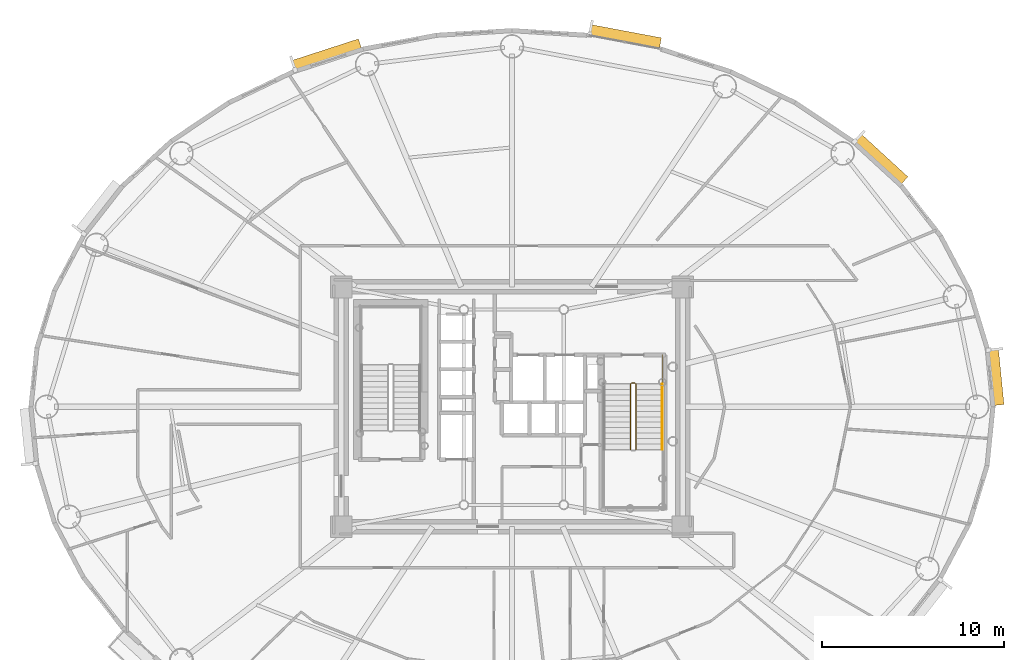
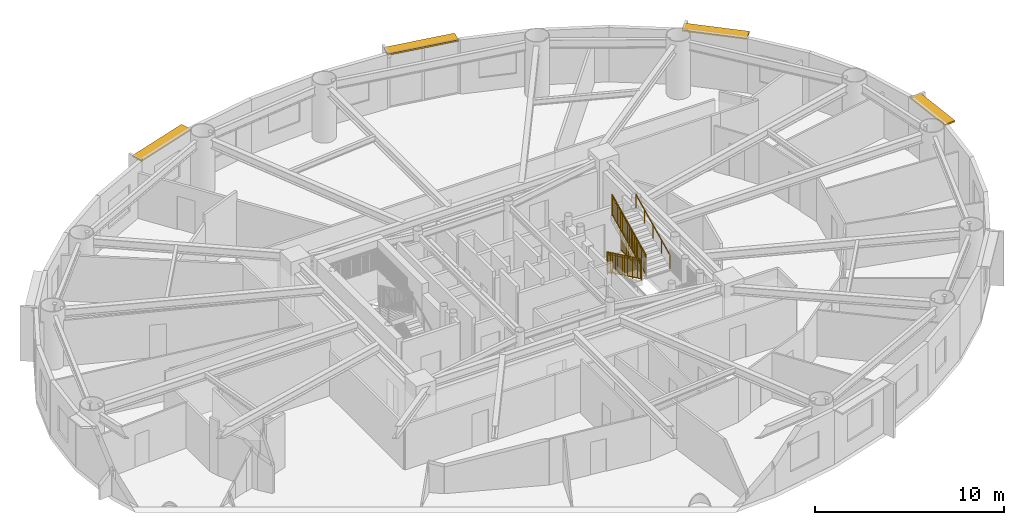
# One storey, part 18 of 18: 5 railings, 4 shading devices.
"""IFC4 building model written with IfcOpenShell, lengths in metres."""

from ifc_helpers import new_model, si_unit, direction, frame, origin, origin_2d, place, context, subcontext, project, spatial, rectangle, extrude, source, transform, mapped, material, layer, layer_set, type_object, element, save


model = new_model("IFC4")

# Units and contexts
model_context = context("Model", 3, precision=1e-05, world=origin(), true_north=direction((0.0, 1.0)))
body_context = subcontext(model_context, "Body", "Model", "MODEL_VIEW")
ifc_project = project(units=[si_unit("LENGTHUNIT", "METRE"), si_unit("AREAUNIT", "SQUARE_METRE"), si_unit("VOLUMEUNIT", "CUBIC_METRE"), si_unit("PLANEANGLEUNIT", "RADIAN"), si_unit("MASSUNIT", "GRAM", prefix="KILO")], contexts=[model_context])

# Site, building, storey
site_placement = place(None, origin())
site = spatial("IfcSite", under=ifc_project, at=site_placement, CompositionType="ELEMENT")
building_placement = place(site_placement, origin())
building = spatial("IfcBuilding", under=site, at=building_placement, Name="Linh Dai School and Residence Tower", CompositionType="ELEMENT")
storey_placement = place(building_placement, frame((0.0, 0.0, 167.39990234375)))
storey = spatial("IfcBuildingStorey", under=building, at=storey_placement, Name="L40", CompositionType="ELEMENT", Elevation=167.39990234375)

# Shading devices
ifc_material_1 = material(Name="Terracotta Ceramic Sunshade", Category="masonry")
ifc_layer = layer(ifc_material_1, 0.10009765625)
ifc_layer_set = layer_set([ifc_layer], Name="Terracotta Ceramic Sunshade")
shading_device_type = type_object("IfcShadingDeviceType", Name="SHD-TC-650", PredefinedType="USERDEFINED", material=ifc_layer_set)
shared_shape_1 = source(origin(), body_context, "Body", "SweptSolid", [
    extrude(rectangle(XDim=3.1201171875, YDim=0.64990234375, at=origin_2d()), origin(), (0.0, 0.0, 1.0), 0.10009765625),
])
shading_device_1_placement = place(storey_placement, frame((62.59619140625, 28.645263671875, 3.380126953125), z_axis=(0.0, 0.0, 1.0), x_axis=(0.100001796141, -0.994987256586, 0.0)))
element("IfcShadingDevice", 1, at=shading_device_1_placement, inside=storey, type_object=shading_device_type, Name="L40 Terracotta Horizontal Sunshade Band 01", ObjectType="SUNSHADE", PredefinedType="USERDEFINED", context=body_context, shape_type="MappedRepresentation", body=[
    mapped(shared_shape_1, transform((0.0, 0.0, 0.0), x_axis=(1.0, 0.0, 0.0), y_axis=(0.0, 1.0, 0.0), z_axis=(0.0, 0.0, 1.0), scale=1.0)),
])
shared_shape_2 = source(origin(), body_context, "Body", "SweptSolid", [
    extrude(rectangle(XDim=3.51171875, YDim=0.64990234375, at=origin_2d()), origin(), (0.0, 0.0, 1.0), 0.10009765625),
])
shading_device_2_placement = place(storey_placement, frame((56.272705078125, 40.604736328125, 3.380126953125), z_axis=(0.0, 0.0, 1.0), x_axis=(0.737085029426, -0.67580001435, 0.0)))
element("IfcShadingDevice", 2, at=shading_device_2_placement, inside=storey, type_object=shading_device_type, Name="L40 Terracotta Horizontal Sunshade Band 05", ObjectType="SUNSHADE", PredefinedType="USERDEFINED", context=body_context, shape_type="MappedRepresentation", body=[
    mapped(shared_shape_2, transform((0.0, 0.0, 0.0), x_axis=(1.0, 0.0, 0.0), y_axis=(0.0, 1.0, 0.0), z_axis=(0.0, 0.0, 1.0), scale=1.0)),
])
shared_shape_3 = source(origin(), body_context, "Body", "SweptSolid", [
    extrude(rectangle(XDim=3.949462890625, YDim=0.64990234375, at=origin_2d()), origin(), (0.0, 0.0, 1.0), 0.10009765625),
])
shading_device_3_placement = place(storey_placement, frame((42.219970703125, 47.349609375, 3.380126953125), z_axis=(0.0, 0.0, 1.0), x_axis=(0.982783192645, -0.184762540184, 0.0)))
element("IfcShadingDevice", 3, at=shading_device_3_placement, inside=storey, type_object=shading_device_type, Name="L40 Terracotta Horizontal Sunshade Band 09", ObjectType="SUNSHADE", PredefinedType="USERDEFINED", context=body_context, shape_type="MappedRepresentation", body=[
    mapped(shared_shape_3, transform((0.0, 0.0, 0.0), x_axis=(1.0, 0.0, 0.0), y_axis=(0.0, 1.0, 0.0), z_axis=(0.0, 0.0, 1.0), scale=1.0)),
])
shared_shape_4 = source(origin(), body_context, "Body", "SweptSolid", [
    extrude(rectangle(XDim=3.876220703125, YDim=0.64990234375, at=origin_2d()), origin(), (0.0, 0.0, 1.0), 0.10009765625),
])
shading_device_4_placement = place(storey_placement, frame((25.802734375, 46.337646484375, 3.380126953125), z_axis=(0.0, 0.0, 1.0), x_axis=(0.951212761419, 0.308535707031, 0.0)))
element("IfcShadingDevice", 4, at=shading_device_4_placement, inside=storey, type_object=shading_device_type, Name="L40 Terracotta Horizontal Sunshade Band 13", ObjectType="SUNSHADE", PredefinedType="USERDEFINED", context=body_context, shape_type="MappedRepresentation", body=[
    mapped(shared_shape_4, transform((0.0, 0.0, 0.0), x_axis=(1.0, 0.0, 0.0), y_axis=(0.0, 1.0, 0.0), z_axis=(0.0, 0.0, 1.0), scale=1.0)),
])

# Railings
ifc_material_2 = material(Name="Structural Steel S355JR", Category="steel")
railing_type_1 = type_object("IfcRailingType", Name="RL-ST-GUARD-1400", PredefinedType="GUARDRAIL", material=ifc_material_2)
shared_shape_5 = source(origin(), body_context, "Body", "SweptSolid", [
    extrude(rectangle(XDim=0.048095703125, YDim=0.048095703125, at=origin_2d()), frame((0.0, 0.0, 1.3759765625), z_axis=(0.0, 0.901262522062, 0.433273431364), x_axis=(-1.0, 0.0, 0.0)), (0.0, 0.0, 1.0), 3.994384765625),
    extrude(rectangle(XDim=0.048095703125, YDim=0.048095703125, at=origin_2d()), frame((0.0, 0.0, 0.10009765625), z_axis=(0.0, 0.901262522062, 0.433273431364), x_axis=(-1.0, 0.0, 0.0)), (0.0, 0.0, 1.0), 3.994384765625),
    extrude(rectangle(XDim=0.030029296875, YDim=0.030029296875, at=origin_2d()), frame((0.0, 0.0, 1.239990234375), z_axis=(0.0, 0.901262522062, 0.433273431364), x_axis=(-1.0, 0.0, 0.0)), (0.0, 0.0, 1.0), 3.994384765625),
    extrude(rectangle(XDim=0.02001953125, YDim=0.02001953125, at=origin_2d()), frame((0.0, 0.087890625, 0.142333984375)), (0.0, 0.0, 1.0), 1.251708984375),
    extrude(rectangle(XDim=0.02001953125, YDim=0.02001953125, at=origin_2d()), frame((0.0, 0.175537109375, 0.1845703125)), (0.0, 0.0, 1.0), 1.251708984375),
    extrude(rectangle(XDim=0.02001953125, YDim=0.02001953125, at=origin_2d()), frame((0.0, 0.263427734375, 0.226806640625)), (0.0, 0.0, 1.0), 1.251708984375),
    extrude(rectangle(XDim=0.02001953125, YDim=0.02001953125, at=origin_2d()), frame((0.0, 0.351318359375, 0.26904296875)), (0.0, 0.0, 1.0), 1.251708984375),
    extrude(rectangle(XDim=0.02001953125, YDim=0.02001953125, at=origin_2d()), frame((0.0, 0.43896484375, 0.311279296875)), (0.0, 0.0, 1.0), 1.251708984375),
    extrude(rectangle(XDim=0.02001953125, YDim=0.02001953125, at=origin_2d()), frame((0.0, 0.52685546875, 0.353271484375)), (0.0, 0.0, 1.0), 1.251708984375),
    extrude(rectangle(XDim=0.02001953125, YDim=0.02001953125, at=origin_2d()), frame((0.0, 0.61474609375, 0.3955078125)), (0.0, 0.0, 1.0), 1.251708984375),
    extrude(rectangle(XDim=0.02001953125, YDim=0.02001953125, at=origin_2d()), frame((0.0, 0.702392578125, 0.437744140625)), (0.0, 0.0, 1.0), 1.251708984375),
    extrude(rectangle(XDim=0.02001953125, YDim=0.02001953125, at=origin_2d()), frame((0.0, 0.790283203125, 0.47998046875)), (0.0, 0.0, 1.0), 1.251708984375),
    extrude(rectangle(XDim=0.02001953125, YDim=0.02001953125, at=origin_2d()), frame((0.0, 0.9658203125, 0.564453125)), (0.0, 0.0, 1.0), 1.251708984375),
    extrude(rectangle(XDim=0.02001953125, YDim=0.02001953125, at=origin_2d()), frame((0.0, 1.0537109375, 0.606689453125)), (0.0, 0.0, 1.0), 1.251708984375),
    extrude(rectangle(XDim=0.02001953125, YDim=0.02001953125, at=origin_2d()), frame((0.0, 1.1416015625, 0.64892578125)), (0.0, 0.0, 1.0), 1.251708984375),
    extrude(rectangle(XDim=0.02001953125, YDim=0.02001953125, at=origin_2d()), frame((0.0, 1.229248046875, 0.691162109375)), (0.0, 0.0, 1.0), 1.251708984375),
    extrude(rectangle(XDim=0.02001953125, YDim=0.02001953125, at=origin_2d()), frame((0.0, 1.317138671875, 0.7333984375)), (0.0, 0.0, 1.0), 1.251708984375),
    extrude(rectangle(XDim=0.02001953125, YDim=0.02001953125, at=origin_2d()), frame((0.0, 1.405029296875, 0.775390625)), (0.0, 0.0, 1.0), 1.251708984375),
    extrude(rectangle(XDim=0.02001953125, YDim=0.02001953125, at=origin_2d()), frame((0.0, 1.49267578125, 0.817626953125)), (0.0, 0.0, 1.0), 1.251708984375),
    extrude(rectangle(XDim=0.02001953125, YDim=0.02001953125, at=origin_2d()), frame((0.0, 1.58056640625, 0.85986328125)), (0.0, 0.0, 1.0), 1.251708984375),
    extrude(rectangle(XDim=0.02001953125, YDim=0.02001953125, at=origin_2d()), frame((0.0, 1.66845703125, 0.902099609375)), (0.0, 0.0, 1.0), 1.251708984375),
    extrude(rectangle(XDim=0.02001953125, YDim=0.02001953125, at=origin_2d()), frame((0.0, 1.756103515625, 0.9443359375)), (0.0, 0.0, 1.0), 1.251708984375),
    extrude(rectangle(XDim=0.02001953125, YDim=0.02001953125, at=origin_2d()), frame((0.0, 1.843994140625, 0.986572265625)), (0.0, 0.0, 1.0), 1.251708984375),
    extrude(rectangle(XDim=0.02001953125, YDim=0.02001953125, at=origin_2d()), frame((0.0, 1.931640625, 1.02880859375)), (0.0, 0.0, 1.0), 1.251708984375),
    extrude(rectangle(XDim=0.02001953125, YDim=0.02001953125, at=origin_2d()), frame((0.0, 2.01953125, 1.071044921875)), (0.0, 0.0, 1.0), 1.251708984375),
    extrude(rectangle(XDim=0.02001953125, YDim=0.02001953125, at=origin_2d()), frame((0.0, 2.107421875, 1.11328125)), (0.0, 0.0, 1.0), 1.251708984375),
    extrude(rectangle(XDim=0.02001953125, YDim=0.02001953125, at=origin_2d()), frame((0.0, 2.195068359375, 1.155517578125)), (0.0, 0.0, 1.0), 1.251708984375),
    extrude(rectangle(XDim=0.02001953125, YDim=0.02001953125, at=origin_2d()), frame((0.0, 2.282958984375, 1.197509765625)), (0.0, 0.0, 1.0), 1.251708984375),
    extrude(rectangle(XDim=0.02001953125, YDim=0.02001953125, at=origin_2d()), frame((0.0, 2.370849609375, 1.23974609375)), (0.0, 0.0, 1.0), 1.251708984375),
    extrude(rectangle(XDim=0.02001953125, YDim=0.02001953125, at=origin_2d()), frame((0.0, 2.45849609375, 1.281982421875)), (0.0, 0.0, 1.0), 1.251708984375),
    extrude(rectangle(XDim=0.02001953125, YDim=0.02001953125, at=origin_2d()), frame((0.0, 2.54638671875, 1.32421875)), (0.0, 0.0, 1.0), 1.251708984375),
    extrude(rectangle(XDim=0.02001953125, YDim=0.02001953125, at=origin_2d()), frame((0.0, 2.63427734375, 1.366455078125)), (0.0, 0.0, 1.0), 1.251708984375),
    extrude(rectangle(XDim=0.02001953125, YDim=0.02001953125, at=origin_2d()), frame((0.0, 2.809814453125, 1.450927734375)), (0.0, 0.0, 1.0), 1.251708984375),
    extrude(rectangle(XDim=0.02001953125, YDim=0.02001953125, at=origin_2d()), frame((0.0, 2.897705078125, 1.4931640625)), (0.0, 0.0, 1.0), 1.251708984375),
    extrude(rectangle(XDim=0.02001953125, YDim=0.02001953125, at=origin_2d()), frame((0.0, 2.9853515625, 1.535400390625)), (0.0, 0.0, 1.0), 1.251708984375),
    extrude(rectangle(XDim=0.02001953125, YDim=0.02001953125, at=origin_2d()), frame((0.0, 3.0732421875, 1.57763671875)), (0.0, 0.0, 1.0), 1.251708984375),
    extrude(rectangle(XDim=0.02001953125, YDim=0.02001953125, at=origin_2d()), frame((0.0, 3.1611328125, 1.61962890625)), (0.0, 0.0, 1.0), 1.251708984375),
    extrude(rectangle(XDim=0.02001953125, YDim=0.02001953125, at=origin_2d()), frame((0.0, 3.248779296875, 1.661865234375)), (0.0, 0.0, 1.0), 1.251708984375),
    extrude(rectangle(XDim=0.02001953125, YDim=0.02001953125, at=origin_2d()), frame((0.0, 3.336669921875, 1.7041015625)), (0.0, 0.0, 1.0), 1.251708984375),
    extrude(rectangle(XDim=0.02001953125, YDim=0.02001953125, at=origin_2d()), frame((0.0, 3.424560546875, 1.746337890625)), (0.0, 0.0, 1.0), 1.251708984375),
    extrude(rectangle(XDim=0.02001953125, YDim=0.02001953125, at=origin_2d()), frame((0.0, 3.51220703125, 1.78857421875)), (0.0, 0.0, 1.0), 1.251708984375),
    extrude(rectangle(XDim=0.0419921875, YDim=0.0419921875, at=origin_2d()), origin(), (0.0, 0.0, 1.0), 1.3759765625),
    extrude(rectangle(XDim=0.0419921875, YDim=0.0419921875, at=origin_2d()), frame((0.0, 0.89990234375, 0.4326171875)), (0.0, 0.0, 1.0), 1.3759765625),
    extrude(rectangle(XDim=0.0419921875, YDim=0.0419921875, at=origin_2d()), frame((0.0, 1.800048828125, 0.865234375)), (0.0, 0.0, 1.0), 1.3759765625),
    extrude(rectangle(XDim=0.0419921875, YDim=0.0419921875, at=origin_2d()), frame((0.0, 2.7001953125, 1.298095703125)), (0.0, 0.0, 1.0), 1.3759765625),
    extrude(rectangle(XDim=0.0419921875, YDim=0.0419921875, at=origin_2d()), frame((0.0, 3.60009765625, 1.730712890625)), (0.0, 0.0, 1.0), 1.3759765625),
])
railing_1_placement = place(storey_placement, frame((42.820068359375, 24.64990234375, 2.019287109375)))
element("IfcRailing", 5, at=railing_1_placement, inside=storey, type_object=railing_type_1, Name="L40 ST2 stair guard 6", PredefinedType="GUARDRAIL", context=body_context, shape_type="MappedRepresentation", body=[
    mapped(shared_shape_5, transform((0.0, 0.0, 0.0), x_axis=(1.0, 0.0, 0.0), y_axis=(0.0, 1.0, 0.0), z_axis=(0.0, 0.0, 1.0), scale=1.0)),
])
shared_shape_6 = source(origin(), body_context, "Body", "SweptSolid", [
    extrude(rectangle(XDim=0.048095703125, YDim=0.048095703125, at=origin_2d()), frame((0.0, 0.0, 1.3759765625), z_axis=(0.0, -0.901262522062, 0.433273431364), x_axis=(1.0, 0.0, 0.0)), (0.0, 0.0, 1.0), 3.994384765625),
    extrude(rectangle(XDim=0.048095703125, YDim=0.048095703125, at=origin_2d()), frame((0.0, 0.0, 0.10009765625), z_axis=(0.0, -0.901262522062, 0.433273431364), x_axis=(1.0, 0.0, 0.0)), (0.0, 0.0, 1.0), 3.994384765625),
    extrude(rectangle(XDim=0.030029296875, YDim=0.030029296875, at=origin_2d()), frame((0.0, 0.0, 1.239990234375), z_axis=(0.0, -0.901262522062, 0.433273431364), x_axis=(1.0, 0.0, 0.0)), (0.0, 0.0, 1.0), 3.994384765625),
    extrude(rectangle(XDim=0.02001953125, YDim=0.02001953125, at=origin_2d()), frame((0.0, -0.087890625, 0.142333984375)), (0.0, 0.0, 1.0), 1.251708984375),
    extrude(rectangle(XDim=0.02001953125, YDim=0.02001953125, at=origin_2d()), frame((0.0, -0.175537109375, 0.1845703125)), (0.0, 0.0, 1.0), 1.251708984375),
    extrude(rectangle(XDim=0.02001953125, YDim=0.02001953125, at=origin_2d()), frame((0.0, -0.263427734375, 0.226806640625)), (0.0, 0.0, 1.0), 1.251708984375),
    extrude(rectangle(XDim=0.02001953125, YDim=0.02001953125, at=origin_2d()), frame((0.0, -0.351318359375, 0.26904296875)), (0.0, 0.0, 1.0), 1.251708984375),
    extrude(rectangle(XDim=0.02001953125, YDim=0.02001953125, at=origin_2d()), frame((0.0, -0.43896484375, 0.311279296875)), (0.0, 0.0, 1.0), 1.251708984375),
    extrude(rectangle(XDim=0.02001953125, YDim=0.02001953125, at=origin_2d()), frame((0.0, -0.52685546875, 0.353271484375)), (0.0, 0.0, 1.0), 1.251708984375),
    extrude(rectangle(XDim=0.02001953125, YDim=0.02001953125, at=origin_2d()), frame((0.0, -0.61474609375, 0.3955078125)), (0.0, 0.0, 1.0), 1.251708984375),
    extrude(rectangle(XDim=0.02001953125, YDim=0.02001953125, at=origin_2d()), frame((0.0, -0.702392578125, 0.437744140625)), (0.0, 0.0, 1.0), 1.251708984375),
    extrude(rectangle(XDim=0.02001953125, YDim=0.02001953125, at=origin_2d()), frame((0.0, -0.790283203125, 0.47998046875)), (0.0, 0.0, 1.0), 1.251708984375),
    extrude(rectangle(XDim=0.02001953125, YDim=0.02001953125, at=origin_2d()), frame((0.0, -0.9658203125, 0.564453125)), (0.0, 0.0, 1.0), 1.251708984375),
    extrude(rectangle(XDim=0.02001953125, YDim=0.02001953125, at=origin_2d()), frame((0.0, -1.0537109375, 0.606689453125)), (0.0, 0.0, 1.0), 1.251708984375),
    extrude(rectangle(XDim=0.02001953125, YDim=0.02001953125, at=origin_2d()), frame((0.0, -1.1416015625, 0.64892578125)), (0.0, 0.0, 1.0), 1.251708984375),
    extrude(rectangle(XDim=0.02001953125, YDim=0.02001953125, at=origin_2d()), frame((0.0, -1.229248046875, 0.691162109375)), (0.0, 0.0, 1.0), 1.251708984375),
    extrude(rectangle(XDim=0.02001953125, YDim=0.02001953125, at=origin_2d()), frame((0.0, -1.317138671875, 0.7333984375)), (0.0, 0.0, 1.0), 1.251708984375),
    extrude(rectangle(XDim=0.02001953125, YDim=0.02001953125, at=origin_2d()), frame((0.0, -1.405029296875, 0.775390625)), (0.0, 0.0, 1.0), 1.251708984375),
    extrude(rectangle(XDim=0.02001953125, YDim=0.02001953125, at=origin_2d()), frame((0.0, -1.49267578125, 0.817626953125)), (0.0, 0.0, 1.0), 1.251708984375),
    extrude(rectangle(XDim=0.02001953125, YDim=0.02001953125, at=origin_2d()), frame((0.0, -1.58056640625, 0.85986328125)), (0.0, 0.0, 1.0), 1.251708984375),
    extrude(rectangle(XDim=0.02001953125, YDim=0.02001953125, at=origin_2d()), frame((0.0, -1.66845703125, 0.902099609375)), (0.0, 0.0, 1.0), 1.251708984375),
    extrude(rectangle(XDim=0.02001953125, YDim=0.02001953125, at=origin_2d()), frame((0.0, -1.756103515625, 0.9443359375)), (0.0, 0.0, 1.0), 1.251708984375),
    extrude(rectangle(XDim=0.02001953125, YDim=0.02001953125, at=origin_2d()), frame((0.0, -1.843994140625, 0.986572265625)), (0.0, 0.0, 1.0), 1.251708984375),
    extrude(rectangle(XDim=0.02001953125, YDim=0.02001953125, at=origin_2d()), frame((0.0, -1.931640625, 1.02880859375)), (0.0, 0.0, 1.0), 1.251708984375),
    extrude(rectangle(XDim=0.02001953125, YDim=0.02001953125, at=origin_2d()), frame((0.0, -2.01953125, 1.071044921875)), (0.0, 0.0, 1.0), 1.251708984375),
    extrude(rectangle(XDim=0.02001953125, YDim=0.02001953125, at=origin_2d()), frame((0.0, -2.107421875, 1.11328125)), (0.0, 0.0, 1.0), 1.251708984375),
    extrude(rectangle(XDim=0.02001953125, YDim=0.02001953125, at=origin_2d()), frame((0.0, -2.195068359375, 1.155517578125)), (0.0, 0.0, 1.0), 1.251708984375),
    extrude(rectangle(XDim=0.02001953125, YDim=0.02001953125, at=origin_2d()), frame((0.0, -2.282958984375, 1.197509765625)), (0.0, 0.0, 1.0), 1.251708984375),
    extrude(rectangle(XDim=0.02001953125, YDim=0.02001953125, at=origin_2d()), frame((0.0, -2.370849609375, 1.23974609375)), (0.0, 0.0, 1.0), 1.251708984375),
    extrude(rectangle(XDim=0.02001953125, YDim=0.02001953125, at=origin_2d()), frame((0.0, -2.45849609375, 1.281982421875)), (0.0, 0.0, 1.0), 1.251708984375),
    extrude(rectangle(XDim=0.02001953125, YDim=0.02001953125, at=origin_2d()), frame((0.0, -2.54638671875, 1.32421875)), (0.0, 0.0, 1.0), 1.251708984375),
    extrude(rectangle(XDim=0.02001953125, YDim=0.02001953125, at=origin_2d()), frame((0.0, -2.63427734375, 1.366455078125)), (0.0, 0.0, 1.0), 1.251708984375),
    extrude(rectangle(XDim=0.02001953125, YDim=0.02001953125, at=origin_2d()), frame((0.0, -2.809814453125, 1.450927734375)), (0.0, 0.0, 1.0), 1.251708984375),
    extrude(rectangle(XDim=0.02001953125, YDim=0.02001953125, at=origin_2d()), frame((0.0, -2.897705078125, 1.4931640625)), (0.0, 0.0, 1.0), 1.251708984375),
    extrude(rectangle(XDim=0.02001953125, YDim=0.02001953125, at=origin_2d()), frame((0.0, -2.9853515625, 1.535400390625)), (0.0, 0.0, 1.0), 1.251708984375),
    extrude(rectangle(XDim=0.02001953125, YDim=0.02001953125, at=origin_2d()), frame((0.0, -3.0732421875, 1.57763671875)), (0.0, 0.0, 1.0), 1.251708984375),
    extrude(rectangle(XDim=0.02001953125, YDim=0.02001953125, at=origin_2d()), frame((0.0, -3.1611328125, 1.61962890625)), (0.0, 0.0, 1.0), 1.251708984375),
    extrude(rectangle(XDim=0.02001953125, YDim=0.02001953125, at=origin_2d()), frame((0.0, -3.248779296875, 1.661865234375)), (0.0, 0.0, 1.0), 1.251708984375),
    extrude(rectangle(XDim=0.02001953125, YDim=0.02001953125, at=origin_2d()), frame((0.0, -3.336669921875, 1.7041015625)), (0.0, 0.0, 1.0), 1.251708984375),
    extrude(rectangle(XDim=0.02001953125, YDim=0.02001953125, at=origin_2d()), frame((0.0, -3.424560546875, 1.746337890625)), (0.0, 0.0, 1.0), 1.251708984375),
    extrude(rectangle(XDim=0.02001953125, YDim=0.02001953125, at=origin_2d()), frame((0.0, -3.51220703125, 1.78857421875)), (0.0, 0.0, 1.0), 1.251708984375),
    extrude(rectangle(XDim=0.0419921875, YDim=0.0419921875, at=origin_2d()), origin(), (0.0, 0.0, 1.0), 1.3759765625),
    extrude(rectangle(XDim=0.0419921875, YDim=0.0419921875, at=origin_2d()), frame((0.0, -0.89990234375, 0.4326171875)), (0.0, 0.0, 1.0), 1.3759765625),
    extrude(rectangle(XDim=0.0419921875, YDim=0.0419921875, at=origin_2d()), frame((0.0, -1.800048828125, 0.865234375)), (0.0, 0.0, 1.0), 1.3759765625),
    extrude(rectangle(XDim=0.0419921875, YDim=0.0419921875, at=origin_2d()), frame((0.0, -2.7001953125, 1.298095703125)), (0.0, 0.0, 1.0), 1.3759765625),
    extrude(rectangle(XDim=0.0419921875, YDim=0.0419921875, at=origin_2d()), frame((0.0, -3.60009765625, 1.730712890625)), (0.0, 0.0, 1.0), 1.3759765625),
])
railing_2_placement = place(storey_placement, frame((42.52001953125, 28.25, 0.144287109375)))
element("IfcRailing", 6, at=railing_2_placement, inside=storey, type_object=railing_type_1, Name="L40 ST2 stair guard 1", PredefinedType="GUARDRAIL", context=body_context, shape_type="MappedRepresentation", body=[
    mapped(shared_shape_6, transform((0.0, 0.0, 0.0), x_axis=(1.0, 0.0, 0.0), y_axis=(0.0, 1.0, 0.0), z_axis=(0.0, 0.0, 1.0), scale=1.0)),
])
ifc_material_3 = material(Name="Brushed Stainless Steel Handrail", Category="steel")
railing_type_2 = type_object("IfcRailingType", Name="RL-ST-HANDRAIL-900", PredefinedType="HANDRAIL", material=ifc_material_3)
shared_shape_7 = source(origin(), body_context, "Body", "SweptSolid", [
    extrude(rectangle(XDim=0.048095703125, YDim=0.048095703125, at=origin_2d()), frame((0.0, 0.0, 0.8759765625), z_axis=(0.0, 0.901262522062, 0.433273431364), x_axis=(-1.0, 0.0, 0.0)), (0.0, 0.0, 1.0), 3.994384765625),
    extrude(rectangle(XDim=0.0419921875, YDim=0.0419921875, at=origin_2d()), origin(), (0.0, 0.0, 1.0), 0.8759765625),
    extrude(rectangle(XDim=0.0419921875, YDim=0.0419921875, at=origin_2d()), frame((0.0, 0.89990234375, 0.4326171875)), (0.0, 0.0, 1.0), 0.8759765625),
    extrude(rectangle(XDim=0.0419921875, YDim=0.0419921875, at=origin_2d()), frame((0.0, 1.800048828125, 0.865234375)), (0.0, 0.0, 1.0), 0.8759765625),
    extrude(rectangle(XDim=0.0419921875, YDim=0.0419921875, at=origin_2d()), frame((0.0, 2.7001953125, 1.298095703125)), (0.0, 0.0, 1.0), 0.8759765625),
    extrude(rectangle(XDim=0.0419921875, YDim=0.0419921875, at=origin_2d()), frame((0.0, 3.60009765625, 1.730712890625)), (0.0, 0.0, 1.0), 0.8759765625),
])
railing_3_placement = place(storey_placement, frame((44.27001953125, 24.64990234375, 2.019287109375)))
element("IfcRailing", 7, at=railing_3_placement, inside=storey, type_object=railing_type_2, Name="L40 ST2 stair handrail 2", PredefinedType="HANDRAIL", context=body_context, shape_type="MappedRepresentation", body=[
    mapped(shared_shape_7, transform((0.0, 0.0, 0.0), x_axis=(1.0, 0.0, 0.0), y_axis=(0.0, 1.0, 0.0), z_axis=(0.0, 0.0, 1.0), scale=1.0)),
])
shared_shape_8 = source(origin(), body_context, "Body", "SweptSolid", [
    extrude(rectangle(XDim=0.048095703125, YDim=0.048095703125, at=origin_2d()), frame((0.0, 0.0, 1.3759765625), z_axis=(1.0, 0.0, 0.0), x_axis=(0.0, 1.0, 0.0)), (0.0, 0.0, 1.0), 0.199951171875),
    extrude(rectangle(XDim=0.048095703125, YDim=0.048095703125, at=origin_2d()), frame((0.0, 0.0, 0.10009765625), z_axis=(1.0, 0.0, 0.0), x_axis=(0.0, 1.0, 0.0)), (0.0, 0.0, 1.0), 0.199951171875),
    extrude(rectangle(XDim=0.030029296875, YDim=0.030029296875, at=origin_2d()), frame((0.0, 0.0, 1.239990234375), z_axis=(1.0, 0.0, 0.0), x_axis=(0.0, 1.0, 0.0)), (0.0, 0.0, 1.0), 0.199951171875),
    extrude(rectangle(XDim=0.0419921875, YDim=0.0419921875, at=origin_2d()), origin(), (0.0, 0.0, 1.0), 1.3759765625),
    extrude(rectangle(XDim=0.0419921875, YDim=0.0419921875, at=origin_2d()), frame((0.199951171875, 0.0, 0.0)), (0.0, 0.0, 1.0), 1.3759765625),
])
railing_4_placement = place(storey_placement, frame((42.570068359375, 28.300048828125, 0.0)))
element("IfcRailing", 8, at=railing_4_placement, inside=storey, type_object=railing_type_1, Name="L40 ST2 stair guard 7", PredefinedType="GUARDRAIL", context=body_context, shape_type="MappedRepresentation", body=[
    mapped(shared_shape_8, transform((0.0, 0.0, 0.0), x_axis=(1.0, 0.0, 0.0), y_axis=(0.0, 1.0, 0.0), z_axis=(0.0, 0.0, 1.0), scale=1.0)),
])
shared_shape_9 = source(origin(), body_context, "Body", "SweptSolid", [
    extrude(rectangle(XDim=0.048095703125, YDim=0.048095703125, at=origin_2d()), frame((0.0, 0.0, 1.3759765625), z_axis=(0.0, -1.0, 0.0), x_axis=(1.0, 0.0, 0.0)), (0.0, 0.0, 1.0), 1.60009765625),
    extrude(rectangle(XDim=0.048095703125, YDim=0.048095703125, at=origin_2d()), frame((0.0, 0.0, 0.10009765625), z_axis=(0.0, -1.0, 0.0), x_axis=(1.0, 0.0, 0.0)), (0.0, 0.0, 1.0), 1.60009765625),
    extrude(rectangle(XDim=0.030029296875, YDim=0.030029296875, at=origin_2d()), frame((0.0, 0.0, 1.239990234375), z_axis=(0.0, -1.0, 0.0), x_axis=(1.0, 0.0, 0.0)), (0.0, 0.0, 1.0), 1.60009765625),
    extrude(rectangle(XDim=0.02001953125, YDim=0.02001953125, at=origin_2d()), frame((0.0, -0.09423828125, 0.10009765625)), (0.0, 0.0, 1.0), 1.251708984375),
    extrude(rectangle(XDim=0.02001953125, YDim=0.02001953125, at=origin_2d()), frame((0.0, -0.188232421875, 0.10009765625)), (0.0, 0.0, 1.0), 1.251708984375),
    extrude(rectangle(XDim=0.02001953125, YDim=0.02001953125, at=origin_2d()), frame((0.0, -0.282470703125, 0.10009765625)), (0.0, 0.0, 1.0), 1.251708984375),
    extrude(rectangle(XDim=0.02001953125, YDim=0.02001953125, at=origin_2d()), frame((0.0, -0.37646484375, 0.10009765625)), (0.0, 0.0, 1.0), 1.251708984375),
    extrude(rectangle(XDim=0.02001953125, YDim=0.02001953125, at=origin_2d()), frame((0.0, -0.470703125, 0.10009765625)), (0.0, 0.0, 1.0), 1.251708984375),
    extrude(rectangle(XDim=0.02001953125, YDim=0.02001953125, at=origin_2d()), frame((0.0, -0.564697265625, 0.10009765625)), (0.0, 0.0, 1.0), 1.251708984375),
    extrude(rectangle(XDim=0.02001953125, YDim=0.02001953125, at=origin_2d()), frame((0.0, -0.658935546875, 0.10009765625)), (0.0, 0.0, 1.0), 1.251708984375),
    extrude(rectangle(XDim=0.02001953125, YDim=0.02001953125, at=origin_2d()), frame((0.0, -0.7529296875, 0.10009765625)), (0.0, 0.0, 1.0), 1.251708984375),
    extrude(rectangle(XDim=0.02001953125, YDim=0.02001953125, at=origin_2d()), frame((0.0, -0.84716796875, 0.10009765625)), (0.0, 0.0, 1.0), 1.251708984375),
    extrude(rectangle(XDim=0.02001953125, YDim=0.02001953125, at=origin_2d()), frame((0.0, -0.941162109375, 0.10009765625)), (0.0, 0.0, 1.0), 1.251708984375),
    extrude(rectangle(XDim=0.02001953125, YDim=0.02001953125, at=origin_2d()), frame((0.0, -1.035400390625, 0.10009765625)), (0.0, 0.0, 1.0), 1.251708984375),
    extrude(rectangle(XDim=0.02001953125, YDim=0.02001953125, at=origin_2d()), frame((0.0, -1.12939453125, 0.10009765625)), (0.0, 0.0, 1.0), 1.251708984375),
    extrude(rectangle(XDim=0.02001953125, YDim=0.02001953125, at=origin_2d()), frame((0.0, -1.2236328125, 0.10009765625)), (0.0, 0.0, 1.0), 1.251708984375),
    extrude(rectangle(XDim=0.02001953125, YDim=0.02001953125, at=origin_2d()), frame((0.0, -1.317626953125, 0.10009765625)), (0.0, 0.0, 1.0), 1.251708984375),
    extrude(rectangle(XDim=0.02001953125, YDim=0.02001953125, at=origin_2d()), frame((0.0, -1.411865234375, 0.10009765625)), (0.0, 0.0, 1.0), 1.251708984375),
    extrude(rectangle(XDim=0.02001953125, YDim=0.02001953125, at=origin_2d()), frame((0.0, -1.505859375, 0.10009765625)), (0.0, 0.0, 1.0), 1.251708984375),
    extrude(rectangle(XDim=0.0419921875, YDim=0.0419921875, at=origin_2d()), origin(), (0.0, 0.0, 1.0), 1.3759765625),
    extrude(rectangle(XDim=0.0419921875, YDim=0.0419921875, at=origin_2d()), frame((0.0, -0.800048828125, 0.0)), (0.0, 0.0, 1.0), 1.3759765625),
    extrude(rectangle(XDim=0.0419921875, YDim=0.0419921875, at=origin_2d()), frame((0.0, -1.60009765625, 0.0)), (0.0, 0.0, 1.0), 1.3759765625),
])
railing_5_placement = place(storey_placement, frame((44.27001953125, 29.85009765625, 0.0)))
element("IfcRailing", 9, at=railing_5_placement, inside=storey, type_object=railing_type_1, Name="L40 ST2 stair guard 9", PredefinedType="GUARDRAIL", context=body_context, shape_type="MappedRepresentation", body=[
    mapped(shared_shape_9, transform((0.0, 0.0, 0.0), x_axis=(1.0, 0.0, 0.0), y_axis=(0.0, 1.0, 0.0), z_axis=(0.0, 0.0, 1.0), scale=1.0)),
])

save(model, "model.ifc")
